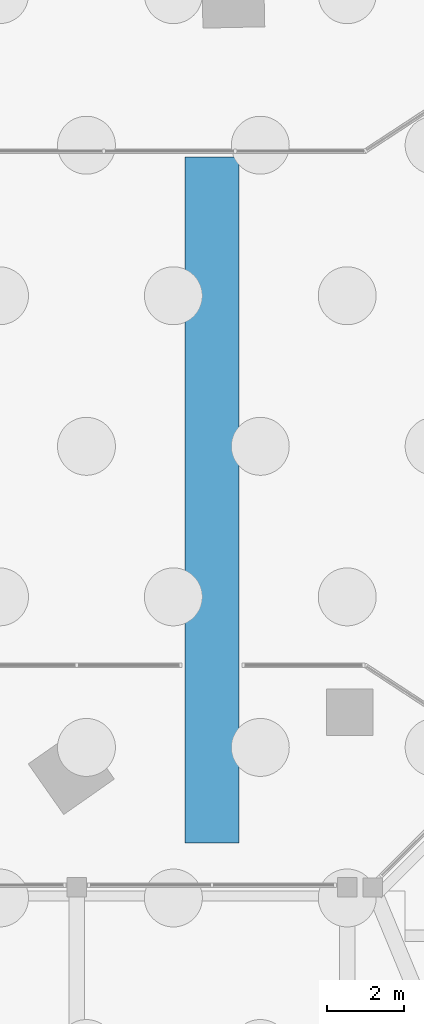
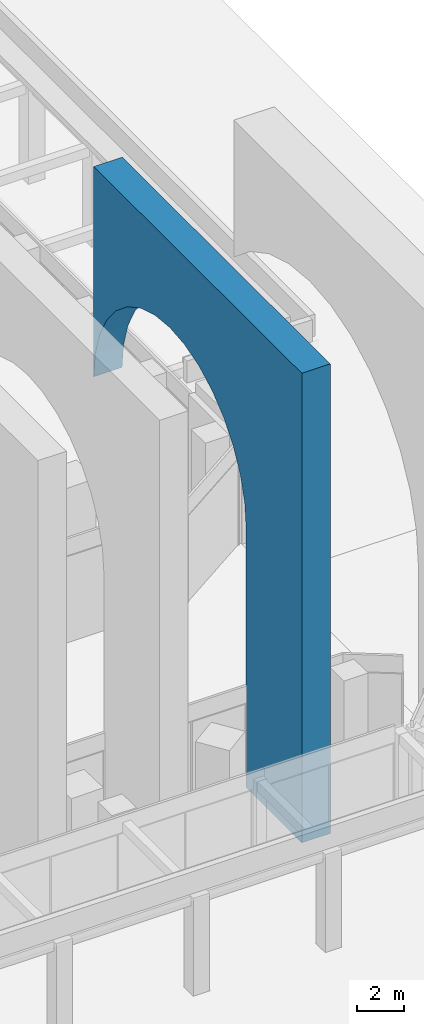
# One storey, part 26 of 46: 1 member.
"""IFC4 building model written with IfcOpenShell, lengths in metres."""

from ifc_helpers import new_model, si_unit, direction, frame, origin, place, context, subcontext, project, spatial, polyline, outline, extrude, material, material_profile, profile_set, type_object, element, save


model = new_model("IFC4")

# Units and contexts
model_context = context("Model", 3, precision=1e-05, world=origin(), true_north=direction((0.0, 1.0)))
body_context = subcontext(model_context, "Body", "Model", "MODEL_VIEW")
ifc_project = project(units=[si_unit("LENGTHUNIT", "METRE"), si_unit("AREAUNIT", "SQUARE_METRE"), si_unit("VOLUMEUNIT", "CUBIC_METRE"), si_unit("PLANEANGLEUNIT", "RADIAN"), si_unit("MASSUNIT", "GRAM", prefix="KILO")], contexts=[model_context])

# Site, building, storey
site_placement = place(None, origin())
site = spatial("IfcSite", under=ifc_project, at=site_placement, CompositionType="ELEMENT")
building_placement = place(site_placement, origin())
building = spatial("IfcBuilding", under=site, at=building_placement, Name="Mangrove Gate Tower", CompositionType="ELEMENT")
storey_placement = place(building_placement, origin())
storey = spatial("IfcBuildingStorey", under=building, at=storey_placement, Name="L00", CompositionType="ELEMENT", Elevation=0.0)

# Member
ifc_material = material(Name="Concrete C60/75", Category="concrete")
ifc_material_profile = material_profile(ifc_material, outline(polyline([(-8.875, 0.0), (-4.125, 0.0), (-4.125, 13.5), (-4.0, 14.76806640625), (-3.6298828125, 15.987060546875), (-3.030029296875, 17.111083984375), (-2.220947265625, 18.095947265625), (-1.236083984375, 18.905029296875), (-0.112060546875, 19.5048828125), (1.10693359375, 19.875), (2.375, 20.0), (3.64306640625, 19.875), (4.862060546875, 19.5048828125), (5.986083984375, 18.905029296875), (6.970947265625, 18.095947265625), (7.780029296875, 17.111083984375), (8.3798828125, 15.987060546875), (8.75, 14.76806640625), (8.875, 13.5), (8.875, 24.449951171875), (-8.875, 24.449951171875), (-8.875, 0.0)])))
ifc_profile_set = profile_set([ifc_material_profile], Name="Concrete C60/75")
member_type = type_object("IfcMemberType", Name="Arch frame ARCH FRAME 1400x17750 C60/75", PredefinedType="USERDEFINED", material=ifc_profile_set)
member_placement = place(storey_placement, frame((27.300048828125, -20.875, 0.0), z_axis=(1.0, 0.0, 0.0), x_axis=(0.0, 1.0, 0.0)))
element("IfcMember", 1, at=member_placement, inside=storey, type_object=member_type, Name="Arch frame XP28", ObjectType="ARCH FRAME", PredefinedType="USERDEFINED", context=body_context, shape_type="SweptSolid", body=[
    extrude(outline(polyline([(-8.875, 0.0), (-4.125, 0.0), (-4.125, 13.5), (-4.0, 14.76806640625), (-3.6298828125, 15.987060546875), (-3.030029296875, 17.111083984375), (-2.220947265625, 18.095947265625), (-1.236083984375, 18.905029296875), (-0.112060546875, 19.5048828125), (1.10693359375, 19.875), (2.375, 20.0), (3.64306640625, 19.875), (4.862060546875, 19.5048828125), (5.986083984375, 18.905029296875), (6.970947265625, 18.095947265625), (7.780029296875, 17.111083984375), (8.3798828125, 15.987060546875), (8.75, 14.76806640625), (8.875, 13.5), (8.875, 24.449951171875), (-8.875, 24.449951171875), (-8.875, 0.0)])), origin(), (0.0, 0.0, 1.0), 1.39990234375),
])

save(model, "model.ifc")
